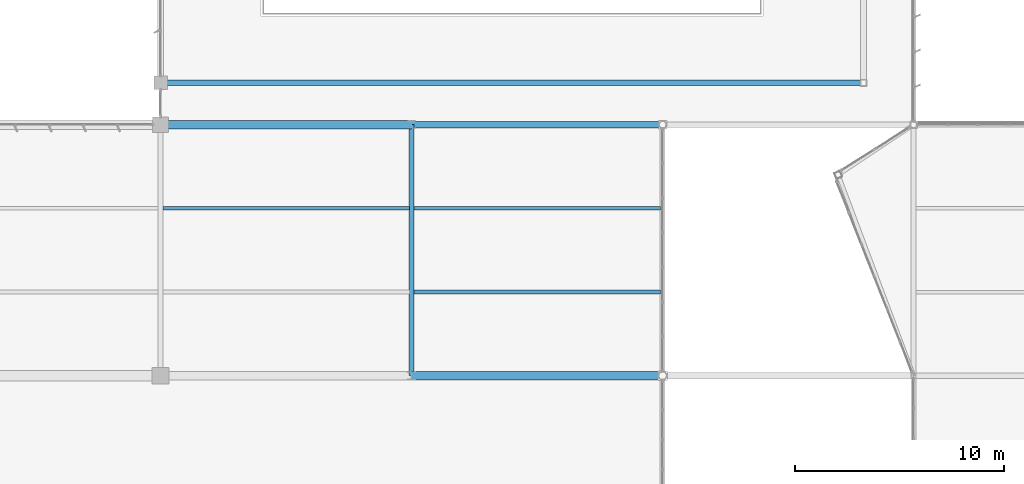
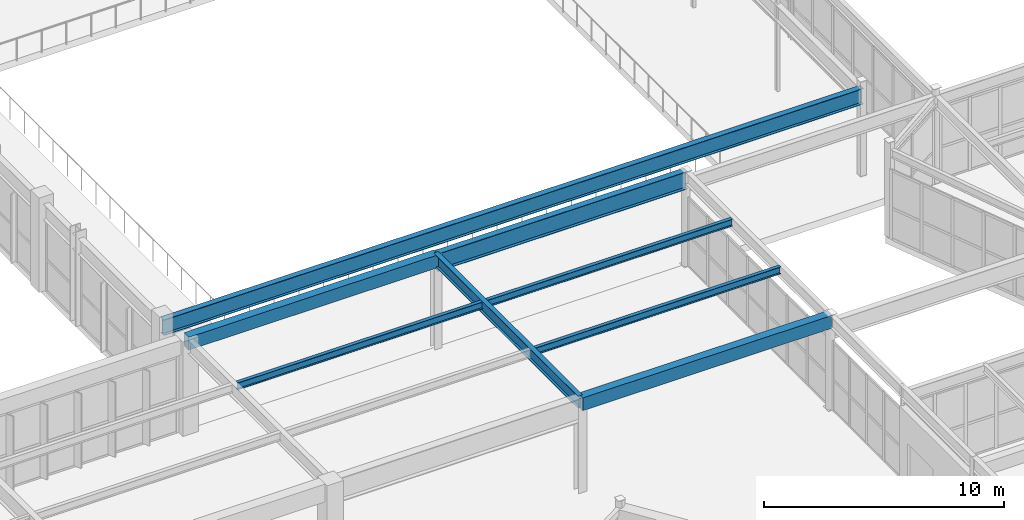
# One storey, part 68 of 186: 8 beams.
"""IFC4 building model written with IfcOpenShell, lengths in metres."""

from ifc_helpers import new_model, si_unit, direction, frame, origin, origin_2d, place, context, subcontext, project, spatial, rectangle, i_section, extrude, material, material_profile, profile_set, type_object, element, save


model = new_model("IFC4")

# Units and contexts
model_context = context("Model", 3, precision=1e-05, world=origin(), true_north=direction((0.0, 1.0)))
body_context = subcontext(model_context, "Body", "Model", "MODEL_VIEW")
ifc_project = project(units=[si_unit("LENGTHUNIT", "METRE"), si_unit("AREAUNIT", "SQUARE_METRE"), si_unit("VOLUMEUNIT", "CUBIC_METRE"), si_unit("PLANEANGLEUNIT", "RADIAN"), si_unit("MASSUNIT", "GRAM", prefix="KILO")], contexts=[model_context])

# Site, building, storey
site_placement = place(None, origin())
site = spatial("IfcSite", under=ifc_project, at=site_placement, CompositionType="ELEMENT")
building_placement = place(site_placement, origin())
building = spatial("IfcBuilding", under=site, at=building_placement, Name="Tarnwether General Hospital", CompositionType="ELEMENT")
storey_placement = place(building_placement, frame((0.0, 0.0, 9.60009765625)))
storey = spatial("IfcBuildingStorey", under=building, at=storey_placement, Name="L02", CompositionType="ELEMENT", Elevation=9.60009765625)

# Beams
ifc_material_1 = material(Name="Steel Grade 350 (350 MPa)", Category="steel")
ifc_material_profile_1 = material_profile(ifc_material_1, i_section(OverallWidth=0.300048828125, OverallDepth=0.89990234375, WebThickness=0.011962890625, FlangeThickness=0.02001953125, at=origin_2d()), Name="900WB175")
ifc_profile_set_1 = profile_set([ifc_material_profile_1], Name="Steel Grade 350 (350 MPa)")
beam_type_1 = type_object("IfcBeamType", Name="BM-G01", PredefinedType="BEAM", material=ifc_profile_set_1)
beam_1_placement = place(storey_placement, frame((120.0, 45.60009765625, 4.349853515625), z_axis=(1.0, 0.0, 0.0), x_axis=(0.0, 1.0, 0.0)))
element("IfcBeam", 1, at=beam_1_placement, inside=storey, type_object=beam_type_1, Name="Primary Girder BMG-L02-12000_4560-13200_4560-1544", PredefinedType="BEAM", context=body_context, shape_type="SweptSolid", body=[
    extrude(i_section(OverallWidth=0.300048828125, OverallDepth=0.89990234375, WebThickness=0.011962890625, FlangeThickness=0.02001953125, at=origin_2d()), origin(), (0.0, 0.0, 1.0), 12.0),
])
ifc_material_2 = material(Name="Steel Grade 350 (350 MPa)", Category="steel")
ifc_material_profile_2 = material_profile(ifc_material_2, i_section(OverallWidth=0.22900390625, OverallDepth=0.612060546875, WebThickness=0.011962890625, FlangeThickness=0.01953125, at=origin_2d()), Name="610UB125")
ifc_profile_set_2 = profile_set([ifc_material_profile_2], Name="Steel Grade 350 (350 MPa)")
beam_type_2 = type_object("IfcBeamType", Name="BM-G03", PredefinedType="BEAM", material=ifc_profile_set_2)
beam_2_placement = place(storey_placement, frame((120.0, 33.60009765625, 4.493896484375), z_axis=(0.0, 1.0, 0.0), x_axis=(-1.0, 0.0, 0.0)))
element("IfcBeam", 2, at=beam_2_placement, inside=storey, type_object=beam_type_2, Name="Primary Girder BMG-L02-12000_3360-12000_4560-1543", PredefinedType="BEAM", context=body_context, shape_type="SweptSolid", body=[
    extrude(i_section(OverallWidth=0.22900390625, OverallDepth=0.612060546875, WebThickness=0.011962890625, FlangeThickness=0.01953125, at=origin_2d()), origin(), (0.0, 0.0, 1.0), 12.0),
])
ifc_material_3 = material(Name="Concrete 40 MPa", Category="concrete")
ifc_material_profile_3 = material_profile(ifc_material_3, rectangle(XDim=0.39990234375, YDim=0.64990234375, at=origin_2d()), Name="RC-BM-400x650")
ifc_profile_set_3 = profile_set([ifc_material_profile_3], Name="Concrete 40 MPa")
beam_type_3 = type_object("IfcBeamType", Name="BM-G14", PredefinedType="BEAM", material=ifc_profile_set_3)
for number, where, z_axis, x_axis, name in (
    (3, (108.0, 45.60009765625, 4.474853515625), (1.0, 0.0, 0.0), (0.0, 1.0, 0.0), "Primary Girder BMG-L02-10800_4560-12000_4560-1536"),
    (4, (120.0, 33.60009765625, 4.474853515625), (1.0, 0.0, 0.0), (0.0, 1.0, 0.0), "Primary Girder BMG-L02-12000_3360-13200_3360-1542"),
):
    element("IfcBeam", number, at=place(storey_placement, frame(where, z_axis=z_axis, x_axis=x_axis)), inside=storey, type_object=beam_type_3, Name=name, PredefinedType="BEAM", context=body_context, shape_type="SweptSolid", body=[
        extrude(rectangle(XDim=0.39990234375, YDim=0.64990234375, at=origin_2d()), origin(), (0.0, 0.0, 1.0), 12.0),
    ])
ifc_material_4 = material(Name="Steel Grade 350 (350 MPa)", Category="steel")
ifc_material_profile_4 = material_profile(ifc_material_4, i_section(OverallWidth=0.172119140625, OverallDepth=0.35888671875, WebThickness=0.008056640625, FlangeThickness=0.012939453125, at=origin_2d()), Name="360UB56.7")
ifc_profile_set_4 = profile_set([ifc_material_profile_4], Name="Steel Grade 350 (350 MPa)")
beam_type_4 = type_object("IfcBeamType", Name="BM-J03", PredefinedType="JOIST", material=ifc_profile_set_4)
beam_3_placement = place(storey_placement, frame((108.118896484375, 41.60009765625, 4.620361328125), z_axis=(1.0, 0.0, 0.0), x_axis=(0.0, 1.0, 0.0)))
element("IfcBeam", 5, at=beam_3_placement, inside=storey, type_object=beam_type_4, Name="Composite Floor Joist BMG-L02-10812_4160-11989_4160-1699", PredefinedType="JOIST", context=body_context, shape_type="SweptSolid", body=[
    extrude(i_section(OverallWidth=0.172119140625, OverallDepth=0.35888671875, WebThickness=0.008056640625, FlangeThickness=0.012939453125, at=origin_2d()), origin(), (0.0, 0.0, 1.0), 11.772216796875),
])
beam_4_placement = place(storey_placement, frame((120.10888671875, 37.60009765625, 4.620361328125), z_axis=(1.0, 0.0, 0.0), x_axis=(0.0, 1.0, 0.0)))
element("IfcBeam", 6, at=beam_4_placement, inside=storey, type_object=beam_type_4, Name="Composite Floor Joist BMG-L02-12011_3760-13189_3760-1702", PredefinedType="JOIST", context=body_context, shape_type="SweptSolid", body=[
    extrude(i_section(OverallWidth=0.172119140625, OverallDepth=0.35888671875, WebThickness=0.008056640625, FlangeThickness=0.012939453125, at=origin_2d()), origin(), (0.0, 0.0, 1.0), 11.783203125),
])
ifc_material_5 = material(Name="Steel Grade 350 (350 MPa)", Category="steel")
ifc_material_profile_5 = material_profile(ifc_material_5, i_section(OverallWidth=0.1708984375, OverallDepth=0.35595703125, WebThickness=0.00732421875, FlangeThickness=0.011474609375, at=origin_2d()), Name="360UB50.7")
ifc_profile_set_5 = profile_set([ifc_material_profile_5], Name="Steel Grade 350 (350 MPa)")
beam_type_5 = type_object("IfcBeamType", Name="BM-J04", PredefinedType="JOIST", material=ifc_profile_set_5)
beam_5_placement = place(storey_placement, frame((120.10888671875, 41.60009765625, 4.621826171875), z_axis=(1.0, 0.0, 0.0), x_axis=(0.0, 1.0, 0.0)))
element("IfcBeam", 7, at=beam_5_placement, inside=storey, type_object=beam_type_5, Name="Composite Floor Joist BMG-L02-12011_4160-13189_4160-1703", PredefinedType="JOIST", context=body_context, shape_type="SweptSolid", body=[
    extrude(i_section(OverallWidth=0.1708984375, OverallDepth=0.35595703125, WebThickness=0.00732421875, FlangeThickness=0.011474609375, at=origin_2d()), origin(), (0.0, 0.0, 1.0), 11.783203125),
])
ifc_material_6 = material(Name="Steel Grade 350 (350 MPa)", Category="steel")
ifc_material_profile_6 = material_profile(ifc_material_6, i_section(OverallWidth=0.27490234375, OverallDepth=0.800048828125, WebThickness=0.010009765625, FlangeThickness=0.02001953125, at=origin_2d()), Name="800WB146")
ifc_profile_set_6 = profile_set([ifc_material_profile_6], Name="Steel Grade 350 (350 MPa)")
beam_type_6 = type_object("IfcBeamType", Name="BM-RB1", PredefinedType="BEAM", material=ifc_profile_set_6)
beam_6_placement = place(storey_placement, frame((108.0, 47.60009765625, 4.02978515625), z_axis=(1.0, 0.0, 0.0), x_axis=(0.0, 1.0, 0.0)))
element("IfcBeam", 8, at=beam_6_placement, inside=storey, type_object=beam_type_6, Name="Gridshell Ring Beam 1", PredefinedType="BEAM", context=body_context, shape_type="SweptSolid", body=[
    extrude(i_section(OverallWidth=0.27490234375, OverallDepth=0.800048828125, WebThickness=0.010009765625, FlangeThickness=0.02001953125, at=origin_2d()), origin(), (0.0, 0.0, 1.0), 33.60009765625),
])

save(model, "model.ifc")
